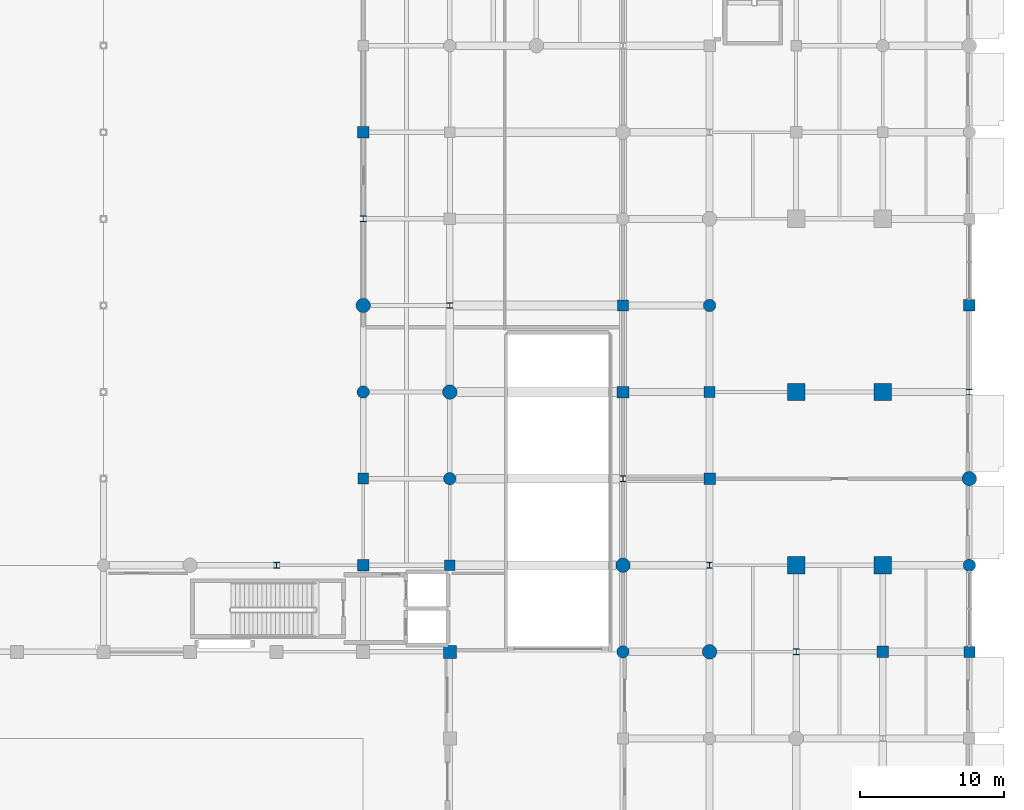
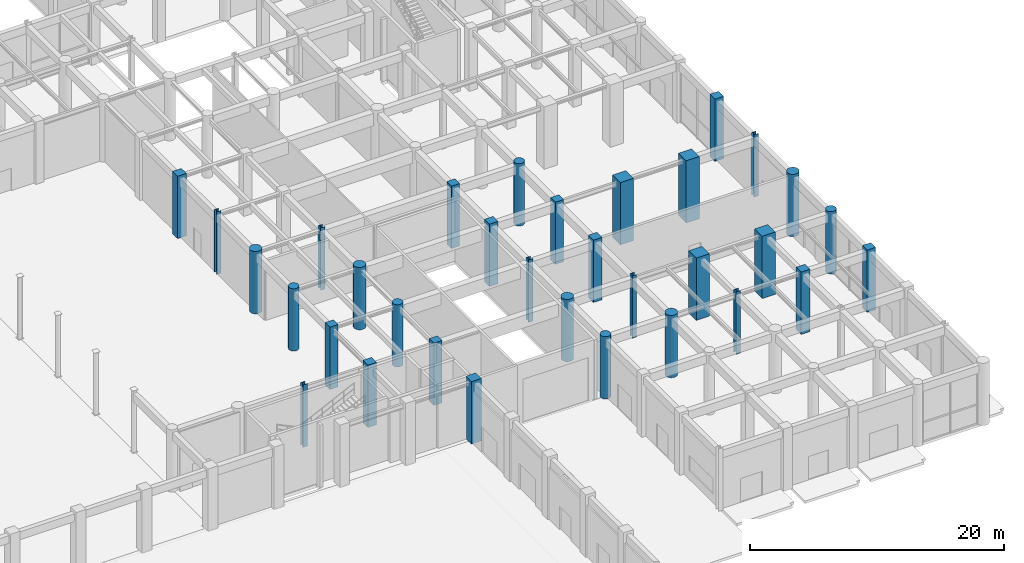
# One storey, part 17 of 106: 33 columns.
"""IFC4 building model written with IfcOpenShell, lengths in metres."""

from ifc_helpers import new_model, si_unit, direction, frame, origin, origin_2d, place, context, subcontext, project, spatial, rectangle, circle, i_section, extrude, material, material_profile, profile_set, type_object, element, save


model = new_model("IFC4")

# Units and contexts
model_context = context("Model", 3, precision=1e-05, world=origin(), true_north=direction((0.0, 1.0)))
body_context = subcontext(model_context, "Body", "Model", "MODEL_VIEW")
ifc_project = project(units=[si_unit("LENGTHUNIT", "METRE"), si_unit("AREAUNIT", "SQUARE_METRE"), si_unit("VOLUMEUNIT", "CUBIC_METRE"), si_unit("PLANEANGLEUNIT", "RADIAN"), si_unit("MASSUNIT", "GRAM", prefix="KILO"), si_unit("THERMODYNAMICTEMPERATUREUNIT", "KELVIN"), si_unit("POWERUNIT", "WATT")], contexts=[model_context])

# Site, building, storey
site_placement = place(None, origin())
site = spatial("IfcSite", under=ifc_project, at=site_placement, CompositionType="ELEMENT")
building_placement = place(site_placement, origin())
building = spatial("IfcBuilding", under=site, at=building_placement, Name="Phaisarnlok Congress Hotel", CompositionType="ELEMENT")
storey_placement = place(building_placement, origin())
storey = spatial("IfcBuildingStorey", under=building, at=storey_placement, Name="L00", CompositionType="ELEMENT", Elevation=0.0)

# Columns
ifc_material_1 = material(Name="Concrete C50/60", Category="concrete")
ifc_material_profile_1 = material_profile(ifc_material_1, rectangle(XDim=1.199951171875, YDim=1.199951171875, at=origin_2d()), Name="RC 1200x1200")
ifc_profile_set_1 = profile_set([ifc_material_profile_1], Name="Concrete C50/60")
column_type_1 = type_object("IfcColumnType", Name="COL-RC-1200", PredefinedType="COLUMN", material=ifc_profile_set_1)
for number, where, z_axis, x_axis, name in (
    (1, (168.0, 42.0, 0.0), (0.0, 0.0, 1.0), (1.0, 0.0, 0.0), "Column C-11 (L00)"),
    (2, (168.0, 54.0, 0.0), (0.0, 0.0, 1.0), (1.0, 0.0, 0.0), "Column C-11 (L00)"),
    (3, (174.0, 42.0, 0.0), (0.0, 0.0, 1.0), (1.0, 0.0, 0.0), "Column C-11 (L00)"),
    (4, (174.0, 54.0, 0.0), (0.0, 0.0, 1.0), (1.0, 0.0, 0.0), "Column C-11 (L00)"),
):
    element("IfcColumn", number, at=place(storey_placement, frame(where, z_axis=z_axis, x_axis=x_axis)), inside=storey, type_object=column_type_1, Name=name, PredefinedType="COLUMN", context=body_context, shape_type="SweptSolid", body=[
        extrude(rectangle(XDim=1.199951171875, YDim=1.199951171875, at=origin_2d()), origin(), (0.0, 0.0, 1.0), 6.0),
    ])
ifc_material_profile_2 = material_profile(ifc_material_1, rectangle(XDim=0.75, YDim=0.75, at=origin_2d()), Name="RC 750x750")
ifc_profile_set_2 = profile_set([ifc_material_profile_2], Name="Concrete C50/60")
column_type_2 = type_object("IfcColumnType", Name="COL-RC-750", PredefinedType="COLUMN", material=ifc_profile_set_2)
for number, where, z_axis, x_axis, name in (
    (5, (138.0, 48.0, 0.0), (0.0, 0.0, 1.0), (1.0, 0.0, 0.0), "Column C-06 (L00)"),
    (6, (144.0, 42.0, 0.0), (0.0, 0.0, 1.0), (1.0, 0.0, 0.0), "Column C-06 (L00)"),
    (7, (156.0, 60.0, 0.0), (0.0, 0.0, 1.0), (1.0, 0.0, 0.0), "Column C-06 (L00)"),
    (8, (162.0, 54.0, 0.0), (0.0, 0.0, 1.0), (1.0, 0.0, 0.0), "Column C-06 (L00)"),
):
    element("IfcColumn", number, at=place(storey_placement, frame(where, z_axis=z_axis, x_axis=x_axis)), inside=storey, type_object=column_type_2, Name=name, PredefinedType="COLUMN", context=body_context, shape_type="SweptSolid", body=[
        extrude(rectangle(XDim=0.75, YDim=0.75, at=origin_2d()), origin(), (0.0, 0.0, 1.0), 6.0),
    ])
ifc_material_profile_3 = material_profile(ifc_material_1, rectangle(XDim=0.75, YDim=0.75, at=origin_2d()), Name="RC 750x750")
ifc_profile_set_3 = profile_set([ifc_material_profile_3], Name="Concrete C50/60")
column_type_3 = type_object("IfcColumnType", Name="COL-RC-750-EXT", PredefinedType="COLUMN", material=ifc_profile_set_3)
column_1_placement = place(storey_placement, frame((180.0, 36.0, 0.0), z_axis=(0.0, 0.0, 1.0), x_axis=(1.0, 0.0, 0.0)))
element("IfcColumn", 9, at=column_1_placement, inside=storey, type_object=column_type_3, Name="Column C-06E (L00)", PredefinedType="COLUMN", context=body_context, shape_type="SweptSolid", body=[
    extrude(rectangle(XDim=0.75, YDim=0.75, at=origin_2d()), origin(), (0.0, 0.0, 1.0), 6.0),
])
ifc_material_profile_4 = material_profile(ifc_material_1, rectangle(XDim=0.800048828125, YDim=0.800048828125, at=origin_2d()), Name="RC 800x800")
ifc_profile_set_4 = profile_set([ifc_material_profile_4], Name="Concrete C50/60")
column_type_4 = type_object("IfcColumnType", Name="COL-RC-800", PredefinedType="COLUMN", material=ifc_profile_set_4)
for number, where, z_axis, x_axis, name in (
    (10, (138.0, 42.0, 0.0), (0.0, 0.0, 1.0), (1.0, 0.0, 0.0), "Column C-07 (L00)"),
    (11, (138.0, 72.0, 0.0), (0.0, 0.0, 1.0), (1.0, 0.0, 0.0), "Column C-07 (L00)"),
    (12, (156.0, 54.0, 0.0), (0.0, 0.0, 1.0), (1.0, 0.0, 0.0), "Column C-07 (L00)"),
    (13, (162.0, 48.0, 0.0), (0.0, 0.0, 1.0), (1.0, 0.0, 0.0), "Column C-07 (L00)"),
    (14, (174.0, 36.0, 0.0), (0.0, 0.0, 1.0), (1.0, 0.0, 0.0), "Column C-07 (L00)"),
):
    element("IfcColumn", number, at=place(storey_placement, frame(where, z_axis=z_axis, x_axis=x_axis)), inside=storey, type_object=column_type_4, Name=name, PredefinedType="COLUMN", context=body_context, shape_type="SweptSolid", body=[
        extrude(rectangle(XDim=0.800048828125, YDim=0.800048828125, at=origin_2d()), origin(), (0.0, 0.0, 1.0), 6.0),
    ])
ifc_material_profile_5 = material_profile(ifc_material_1, rectangle(XDim=0.800048828125, YDim=0.800048828125, at=origin_2d()), Name="RC 800x800")
ifc_profile_set_5 = profile_set([ifc_material_profile_5], Name="Concrete C50/60")
column_type_5 = type_object("IfcColumnType", Name="COL-RC-800-EXT", PredefinedType="COLUMN", material=ifc_profile_set_5)
column_2_placement = place(storey_placement, frame((180.0, 60.0, 0.0), z_axis=(0.0, 0.0, 1.0), x_axis=(1.0, 0.0, 0.0)))
element("IfcColumn", 15, at=column_2_placement, inside=storey, type_object=column_type_5, Name="Column C-07E (L00)", PredefinedType="COLUMN", context=body_context, shape_type="SweptSolid", body=[
    extrude(rectangle(XDim=0.800048828125, YDim=0.800048828125, at=origin_2d()), origin(), (0.0, 0.0, 1.0), 6.0),
])
ifc_material_profile_6 = material_profile(ifc_material_1, rectangle(XDim=0.89990234375, YDim=0.89990234375, at=origin_2d()), Name="RC 900x900")
ifc_profile_set_6 = profile_set([ifc_material_profile_6], Name="Concrete C50/60")
column_type_6 = type_object("IfcColumnType", Name="COL-RC-900", PredefinedType="COLUMN", material=ifc_profile_set_6)
column_3_placement = place(storey_placement, frame((144.0, 36.0, 0.0), z_axis=(0.0, 0.0, 1.0), x_axis=(1.0, 0.0, 0.0)))
element("IfcColumn", 16, at=column_3_placement, inside=storey, type_object=column_type_6, Name="Column C-08 (L00)", PredefinedType="COLUMN", context=body_context, shape_type="SweptSolid", body=[
    extrude(rectangle(XDim=0.89990234375, YDim=0.89990234375, at=origin_2d()), origin(), (0.0, 0.0, 1.0), 6.0),
])
ifc_material_profile_7 = material_profile(ifc_material_1, circle(Radius=0.5, at=origin_2d()), Name="RCC D1000")
ifc_profile_set_7 = profile_set([ifc_material_profile_7], Name="Concrete C50/60")
column_type_7 = type_object("IfcColumnType", Name="COL-RCC-1000", PredefinedType="COLUMN", material=ifc_profile_set_7)
for number, where, z_axis, x_axis, name in (
    (17, (138.0, 60.0, 0.0), (0.0, 0.0, 1.0), (1.0, 0.0, 0.0), "Column C-15 (L00)"),
    (18, (144.0, 54.0, 0.0), (0.0, 0.0, 1.0), (1.0, 0.0, 0.0), "Column C-15 (L00)"),
    (19, (156.0, 42.0, 0.0), (0.0, 0.0, 1.0), (1.0, 0.0, 0.0), "Column C-15 (L00)"),
    (20, (162.0, 36.0, 0.0), (0.0, 0.0, 1.0), (1.0, 0.0, 0.0), "Column C-15 (L00)"),
):
    element("IfcColumn", number, at=place(storey_placement, frame(where, z_axis=z_axis, x_axis=x_axis)), inside=storey, type_object=column_type_7, Name=name, PredefinedType="COLUMN", context=body_context, shape_type="SweptSolid", body=[
        extrude(circle(Radius=0.5, at=origin_2d()), origin(), (0.0, 0.0, 1.0), 6.0),
    ])
ifc_material_profile_8 = material_profile(ifc_material_1, circle(Radius=0.5, at=origin_2d()), Name="RCC D1000")
ifc_profile_set_8 = profile_set([ifc_material_profile_8], Name="Concrete C50/60")
column_type_8 = type_object("IfcColumnType", Name="COL-RCC-1000-EXT", PredefinedType="COLUMN", material=ifc_profile_set_8)
column_4_placement = place(storey_placement, frame((180.0, 48.0, 0.0), z_axis=(0.0, 0.0, 1.0), x_axis=(1.0, 0.0, 0.0)))
element("IfcColumn", 21, at=column_4_placement, inside=storey, type_object=column_type_8, Name="Column C-15E (L00)", PredefinedType="COLUMN", context=body_context, shape_type="SweptSolid", body=[
    extrude(circle(Radius=0.5, at=origin_2d()), origin(), (0.0, 0.0, 1.0), 6.0),
])
ifc_material_profile_9 = material_profile(ifc_material_1, circle(Radius=0.425048828125, at=origin_2d()), Name="RCC D850")
ifc_profile_set_9 = profile_set([ifc_material_profile_9], Name="Concrete C50/60")
column_type_9 = type_object("IfcColumnType", Name="COL-RCC-850", PredefinedType="COLUMN", material=ifc_profile_set_9)
for number, where, z_axis, x_axis, name in (
    (22, (138.0, 54.0, 0.0), (0.0, 0.0, 1.0), (1.0, 0.0, 0.0), "Column C-14 (L00)"),
    (23, (144.0, 48.0, 0.0), (0.0, 0.0, 1.0), (1.0, 0.0, 0.0), "Column C-14 (L00)"),
    (24, (156.0, 36.0, 0.0), (0.0, 0.0, 1.0), (1.0, 0.0, 0.0), "Column C-14 (L00)"),
    (25, (162.0, 60.0, 0.0), (0.0, 0.0, 1.0), (1.0, 0.0, 0.0), "Column C-14 (L00)"),
):
    element("IfcColumn", number, at=place(storey_placement, frame(where, z_axis=z_axis, x_axis=x_axis)), inside=storey, type_object=column_type_9, Name=name, PredefinedType="COLUMN", context=body_context, shape_type="SweptSolid", body=[
        extrude(circle(Radius=0.425048828125, at=origin_2d()), origin(), (0.0, 0.0, 1.0), 6.0),
    ])
ifc_material_profile_10 = material_profile(ifc_material_1, circle(Radius=0.425048828125, at=origin_2d()), Name="RCC D850")
ifc_profile_set_10 = profile_set([ifc_material_profile_10], Name="Concrete C50/60")
column_type_10 = type_object("IfcColumnType", Name="COL-RCC-850-EXT", PredefinedType="COLUMN", material=ifc_profile_set_10)
column_5_placement = place(storey_placement, frame((180.0, 42.0, 0.0), z_axis=(0.0, 0.0, 1.0), x_axis=(1.0, 0.0, 0.0)))
element("IfcColumn", 26, at=column_5_placement, inside=storey, type_object=column_type_10, Name="Column C-14E (L00)", PredefinedType="COLUMN", context=body_context, shape_type="SweptSolid", body=[
    extrude(circle(Radius=0.425048828125, at=origin_2d()), origin(), (0.0, 0.0, 1.0), 6.0),
])
ifc_material_2 = material(Name="Steel S355", Category="steel")
ifc_material_profile_11 = material_profile(ifc_material_2, i_section(OverallWidth=0.40087890625, OverallDepth=0.39892578125, WebThickness=0.0185546875, FlangeThickness=0.030029296875, FilletRadius=0.014892578125, at=origin_2d()), Name="HD 400x314")
ifc_profile_set_11 = profile_set([ifc_material_profile_11], Name="Steel S355")
column_type_11 = type_object("IfcColumnType", Name="COL-STL-HD314", PredefinedType="COLUMN", material=ifc_profile_set_11)
for number, where, z_axis, x_axis, name in (
    (27, (132.0, 42.0, 0.0), (0.0, 0.0, 1.0), (1.0, 0.0, 0.0), "Column SC-04 (L00)"),
    (28, (138.0, 66.0, 0.0), (0.0, 0.0, 1.0), (1.0, 0.0, 0.0), "Column SC-04 (L00)"),
    (29, (144.0, 60.0, 0.0), (0.0, 0.0, 1.0), (1.0, 0.0, 0.0), "Column SC-04 (L00)"),
    (30, (156.0, 48.0, 0.0), (0.0, 0.0, 1.0), (1.0, 0.0, 0.0), "Column SC-04 (L00)"),
    (31, (162.0, 42.0, 0.0), (0.0, 0.0, 1.0), (1.0, 0.0, 0.0), "Column SC-04 (L00)"),
    (32, (168.0, 36.0, 0.0), (0.0, 0.0, 1.0), (1.0, 0.0, 0.0), "Column SC-04 (L00)"),
):
    element("IfcColumn", number, at=place(storey_placement, frame(where, z_axis=z_axis, x_axis=x_axis)), inside=storey, type_object=column_type_11, Name=name, PredefinedType="COLUMN", context=body_context, shape_type="SweptSolid", body=[
        extrude(i_section(OverallWidth=0.40087890625, OverallDepth=0.39892578125, WebThickness=0.0185546875, FlangeThickness=0.030029296875, FilletRadius=0.014892578125, at=origin_2d()), origin(), (0.0, 0.0, 1.0), 6.0),
    ])
ifc_material_profile_12 = material_profile(ifc_material_2, i_section(OverallWidth=0.40087890625, OverallDepth=0.39892578125, WebThickness=0.0185546875, FlangeThickness=0.030029296875, FilletRadius=0.014892578125, at=origin_2d()), Name="HD 400x314")
ifc_profile_set_12 = profile_set([ifc_material_profile_12], Name="Steel S355")
column_type_12 = type_object("IfcColumnType", Name="COL-STL-HD314-EXT", PredefinedType="COLUMN", material=ifc_profile_set_12)
column_6_placement = place(storey_placement, frame((180.0, 54.0, 0.0), z_axis=(0.0, 0.0, 1.0), x_axis=(1.0, 0.0, 0.0)))
element("IfcColumn", 33, at=column_6_placement, inside=storey, type_object=column_type_12, Name="Column SC-04E (L00)", PredefinedType="COLUMN", context=body_context, shape_type="SweptSolid", body=[
    extrude(i_section(OverallWidth=0.40087890625, OverallDepth=0.39892578125, WebThickness=0.0185546875, FlangeThickness=0.030029296875, FilletRadius=0.014892578125, at=origin_2d()), origin(), (0.0, 0.0, 1.0), 6.0),
])

save(model, "model.ifc")
